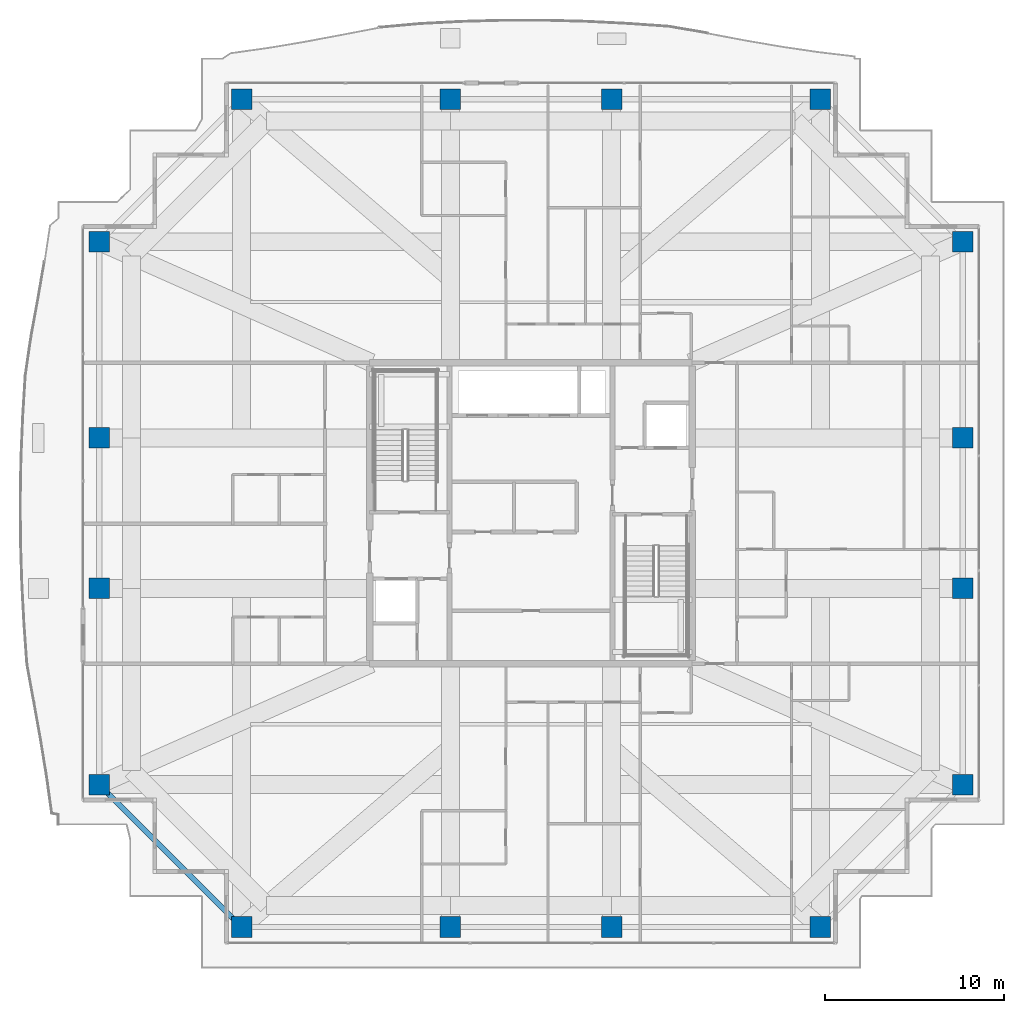
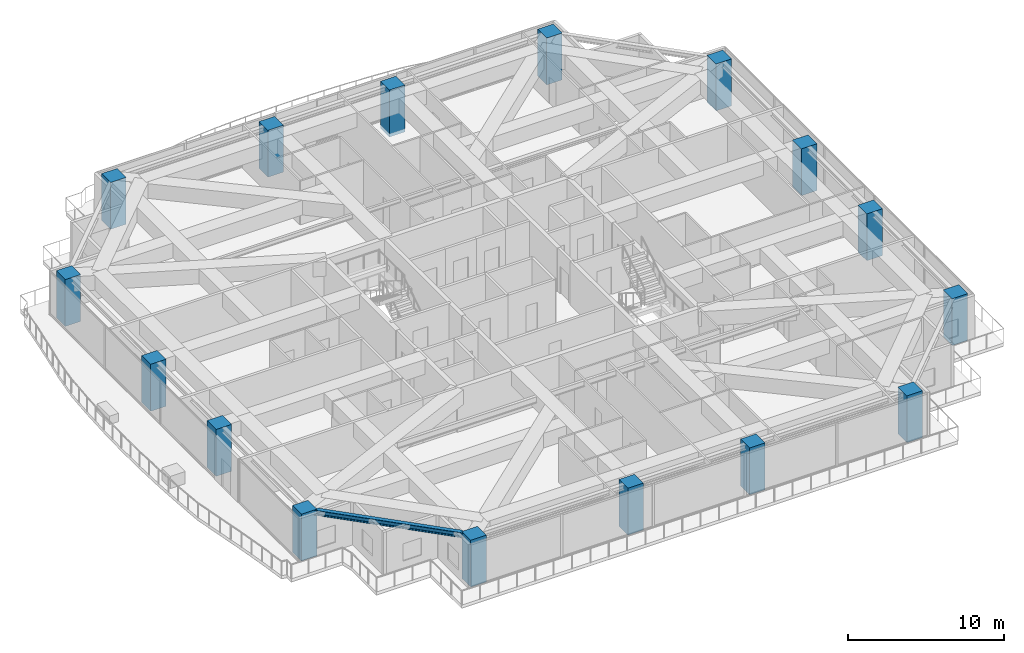
# One storey, part 1 of 39: 16 columns, 1 beam.
"""IFC4 building model written with IfcOpenShell, lengths in metres."""

from ifc_helpers import new_model, si_unit, direction, frame, origin, origin_2d, place, context, subcontext, project, spatial, rectangle, i_section, extrude, source, transform, mapped, material, material_profile, profile_set, type_object, element, save


model = new_model("IFC4")

# Units and contexts
model_context = context("Model", 3, precision=1e-05, world=origin(), true_north=direction((0.0, 1.0)))
body_context = subcontext(model_context, "Body", "Model", "MODEL_VIEW")
ifc_project = project(units=[si_unit("LENGTHUNIT", "METRE"), si_unit("AREAUNIT", "SQUARE_METRE"), si_unit("VOLUMEUNIT", "CUBIC_METRE"), si_unit("PLANEANGLEUNIT", "RADIAN"), si_unit("MASSUNIT", "GRAM", prefix="KILO")], contexts=[model_context])

# Site, building, storey
site_placement = place(None, origin())
site = spatial("IfcSite", under=ifc_project, at=site_placement, CompositionType="ELEMENT")
building_placement = place(site_placement, origin())
building = spatial("IfcBuilding", under=site, at=building_placement, Name="Serunith Strait Residences", CompositionType="ELEMENT")
storey_placement = place(building_placement, frame((0.0, 0.0, 283.60009765625)))
storey = spatial("IfcBuildingStorey", under=building, at=storey_placement, Name="L71", CompositionType="ELEMENT", Elevation=283.60009765625)

# Columns
ifc_material_1 = material(Name="Concrete C80/95", Category="concrete")
ifc_material_profile_1 = material_profile(ifc_material_1, rectangle(XDim=1.14990234375, YDim=1.14990234375, at=origin_2d()), Name="RC 1150x1150")
ifc_profile_set_1 = profile_set([ifc_material_profile_1], Name="Concrete C80/95")
column_type = type_object("IfcColumnType", Name="COL-RC-1150", PredefinedType="COLUMN", material=ifc_profile_set_1)
shared_shape_1 = source(origin(), body_context, "Body", "SweptSolid", [
    extrude(rectangle(XDim=1.14990234375, YDim=1.14990234375, at=origin_2d()), origin(), (0.0, 0.0, 1.0), 3.669921875),
])
for number, where, z_axis, x_axis, name in (
    (1, (16.25, 2.10009765625, -0.260009765625), (0.0, 0.0, 1.0), (1.0, 0.0, 0.0), "L71 Tower Mega-Column TC-S1"),
    (2, (27.89990234375, 2.10009765625, -0.260009765625), (0.0, 0.0, 1.0), (1.0, 0.0, 0.0), "L71 Tower Mega-Column TC-S2"),
    (3, (36.89990234375, 2.10009765625, -0.260009765625), (0.0, 0.0, 1.0), (1.0, 0.0, 0.0), "L71 Tower Mega-Column TC-S3"),
    (4, (48.550048828125, 2.10009765625, -0.260009765625), (0.0, 0.0, 1.0), (1.0, 0.0, 0.0), "L71 Tower Mega-Column TC-S4"),
    (5, (16.25, 48.300048828125, -0.260009765625), (0.0, 0.0, 1.0), (1.0, 0.0, 0.0), "L71 Tower Mega-Column TC-N1"),
    (6, (27.89990234375, 48.300048828125, -0.260009765625), (0.0, 0.0, 1.0), (1.0, 0.0, 0.0), "L71 Tower Mega-Column TC-N2"),
    (7, (36.89990234375, 48.300048828125, -0.260009765625), (0.0, 0.0, 1.0), (1.0, 0.0, 0.0), "L71 Tower Mega-Column TC-N3"),
    (8, (48.550048828125, 48.300048828125, -0.260009765625), (0.0, 0.0, 1.0), (1.0, 0.0, 0.0), "L71 Tower Mega-Column TC-N4"),
    (9, (56.5, 10.050048828125, -0.260009765625), (0.0, 0.0, 1.0), (1.0, 0.0, 0.0), "L71 Tower Mega-Column TC-E1"),
    (10, (56.5, 21.0, -0.260009765625), (0.0, 0.0, 1.0), (1.0, 0.0, 0.0), "L71 Tower Mega-Column TC-E2"),
    (11, (56.5, 29.39990234375, -0.260009765625), (0.0, 0.0, 1.0), (1.0, 0.0, 0.0), "L71 Tower Mega-Column TC-E3"),
    (12, (56.5, 40.35009765625, -0.260009765625), (0.0, 0.0, 1.0), (1.0, 0.0, 0.0), "L71 Tower Mega-Column TC-E4"),
    (13, (8.300048828125, 10.050048828125, -0.260009765625), (0.0, 0.0, 1.0), (1.0, 0.0, 0.0), "L71 Tower Mega-Column TC-W1"),
    (14, (8.300048828125, 21.0, -0.260009765625), (0.0, 0.0, 1.0), (1.0, 0.0, 0.0), "L71 Tower Mega-Column TC-W2"),
    (15, (8.300048828125, 29.39990234375, -0.260009765625), (0.0, 0.0, 1.0), (1.0, 0.0, 0.0), "L71 Tower Mega-Column TC-W3"),
    (16, (8.300048828125, 40.35009765625, -0.260009765625), (0.0, 0.0, 1.0), (1.0, 0.0, 0.0), "L71 Tower Mega-Column TC-W4"),
):
    element("IfcColumn", number, at=place(storey_placement, frame(where, z_axis=z_axis, x_axis=x_axis)), inside=storey, type_object=column_type, Name=name, PredefinedType="COLUMN", context=body_context, shape_type="MappedRepresentation", body=[
        mapped(shared_shape_1, transform((0.0, 0.0, 0.0), scale=1.0)),
    ])

# Beam
ifc_material_2 = material(Name="Steel S355J2", Category="steel")
ifc_material_profile_2 = material_profile(ifc_material_2, i_section(OverallWidth=0.300048828125, OverallDepth=0.39990234375, WebThickness=0.013427734375, FlangeThickness=0.02392578125, FilletRadius=0.027099609375, at=origin_2d()), Name="HEB 400")
ifc_profile_set_2 = profile_set([ifc_material_profile_2], Name="Steel S355J2")
beam_type = type_object("IfcBeamType", Name="BM-HEB400", PredefinedType="BEAM", material=ifc_profile_set_2)
shared_shape_2 = source(origin(), body_context, "Body", "SweptSolid", [
    extrude(i_section(OverallWidth=0.300048828125, OverallDepth=0.39990234375, WebThickness=0.013427734375, FlangeThickness=0.02392578125, FilletRadius=0.027099609375, at=origin_2d()), origin(), (0.0, 0.0, 1.0), 11.242919921875),
])
beam_placement = place(storey_placement, frame((8.300048828125, 10.050048828125, 3.206787109375), z_axis=(0.707106781187, -0.707106781187, 0.0), x_axis=(0.707106781187, 0.707106781187, 0.0)))
element("IfcBeam", 17, at=beam_placement, inside=storey, type_object=beam_type, Name="L71 Perimeter Ring Beam 16", PredefinedType="BEAM", context=body_context, shape_type="MappedRepresentation", body=[
    mapped(shared_shape_2, transform((0.0, 0.0, 0.0), scale=1.0)),
])

save(model, "model.ifc")
